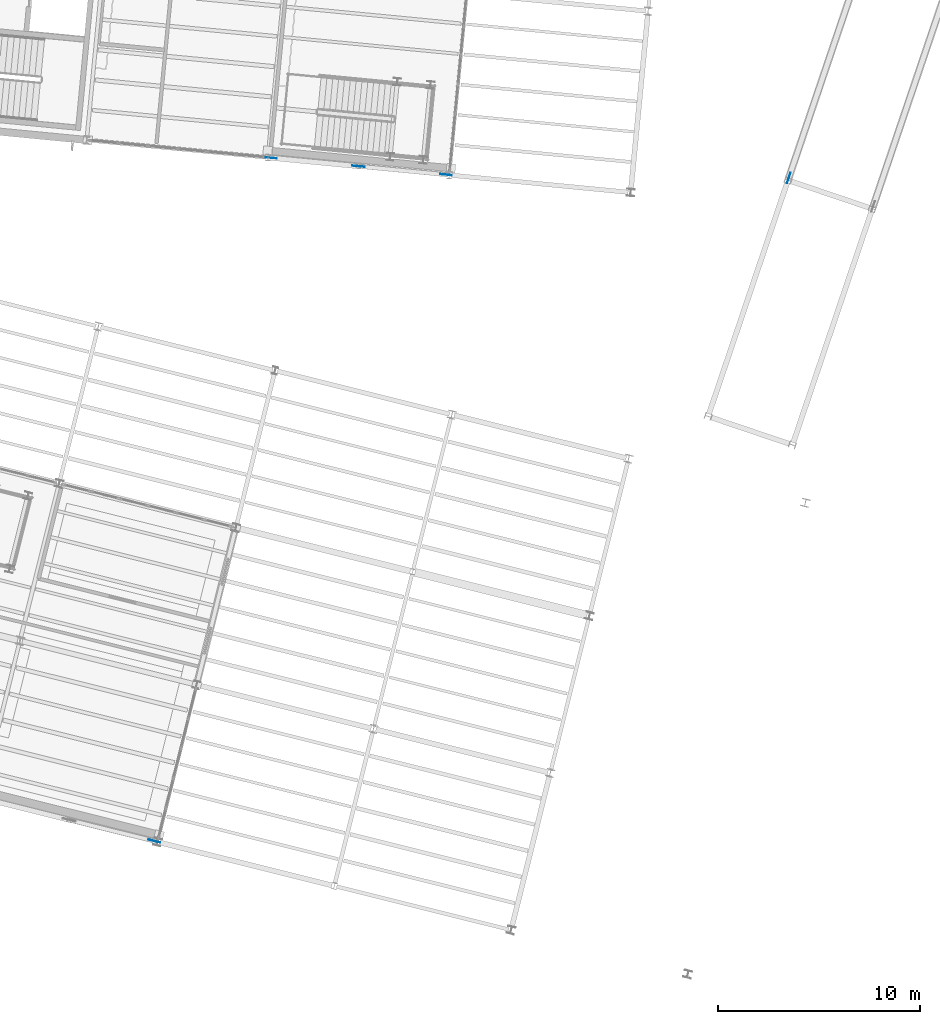
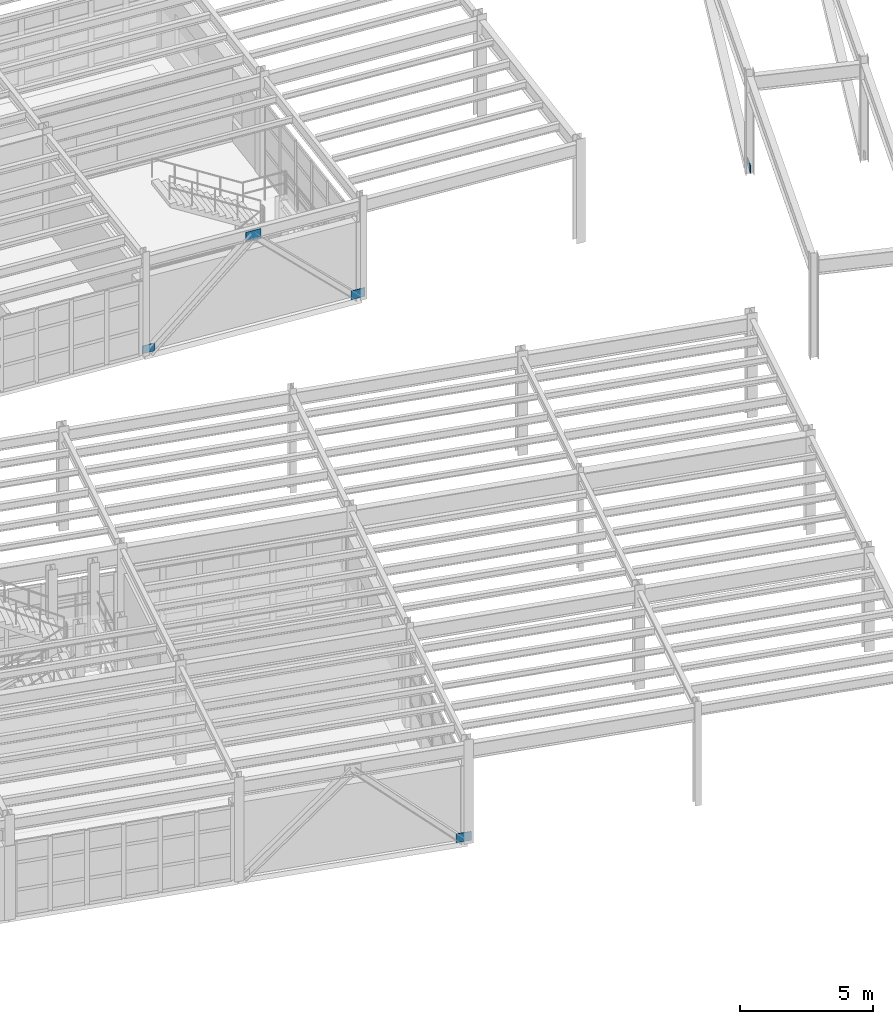
# One storey, part 81 of 109: 5 plates.
"""IFC4 building model written with IfcOpenShell, lengths in metres."""

from ifc_helpers import new_model, si_unit, direction, frame, origin, origin_2d, place, context, subcontext, project, spatial, rectangle, extrude, material, layer, layer_set, type_object, element, save


model = new_model("IFC4")

# Units and contexts
model_context = context("Model", 3, precision=1e-05, world=origin(), true_north=direction((0.0, 1.0)))
body_context = subcontext(model_context, "Body", "Model", "MODEL_VIEW")
ifc_project = project(units=[si_unit("LENGTHUNIT", "METRE"), si_unit("AREAUNIT", "SQUARE_METRE"), si_unit("VOLUMEUNIT", "CUBIC_METRE"), si_unit("PLANEANGLEUNIT", "RADIAN"), si_unit("MASSUNIT", "GRAM", prefix="KILO")], contexts=[model_context])

# Site, building, storey
site_placement = place(None, origin())
site = spatial("IfcSite", under=ifc_project, at=site_placement, CompositionType="ELEMENT")
building_placement = place(site_placement, origin())
building = spatial("IfcBuilding", under=site, at=building_placement, Name="Vireo Bluff Cable Station", CompositionType="ELEMENT")
storey_placement = place(building_placement, frame((0.0, 0.0, 4.800048828125)))
storey = spatial("IfcBuildingStorey", under=building, at=storey_placement, Name="L01", CompositionType="ELEMENT", Elevation=4.800048828125)

# Plates
ifc_material = material(Name="Steel ASTM A572 Gr. 50", Category="steel")
ifc_layer_1 = layer(ifc_material, 0.02197265625, Name="Steel ASTM A572 Gr. 50")
ifc_layer_set_1 = layer_set([ifc_layer_1], Name="Steel ASTM A572 Gr. 50")
plate_type_1 = type_object("IfcPlateType", Name="GUSSET-540X360X22", PredefinedType="USERDEFINED", material=ifc_layer_set_1)
for number, where, z_axis, x_axis, name in (
    (1, (85.814453125, 65.263427734375, 0.0400390625), (0.0, 0.0, 1.0), (0.995396198367, -0.09584575252, 0.0), "V3 L01 brace base gusset plate 143"),
    (2, (111.38330078125, 64.27197265625, 0.1201171875), (0.0, 0.0, 1.0), (0.32035190998, 0.947298608556, 0.0), "HAUL-DRIVE skybridge strut end plate 2RA"),
):
    element("IfcPlate", number, at=place(storey_placement, frame(where, z_axis=z_axis, x_axis=x_axis)), inside=storey, type_object=plate_type_1, Name=name, ObjectType="GUSSET PLATE", PredefinedType="USERDEFINED", context=body_context, shape_type="SweptSolid", body=[
        extrude(rectangle(XDim=0.5400390625, YDim=0.02197265625, at=origin_2d()), origin(), (0.0, 0.0, 1.0), 0.360107421875),
    ])
ifc_layer_2 = layer(ifc_material, 0.02392578125, Name="Steel ASTM A572 Gr. 50")
ifc_layer_set_2 = layer_set([ifc_layer_2], Name="Steel ASTM A572 Gr. 50")
plate_type_2 = type_object("IfcPlateType", Name="GUSSET-580X400X24", PredefinedType="USERDEFINED", material=ifc_layer_set_2)
plate_1_placement = place(storey_placement, frame((94.45458984375, 64.431396484375, 0.02001953125), z_axis=(0.0, 0.0, 1.0), x_axis=(0.995396198367, -0.09584575252, 0.0)))
element("IfcPlate", 3, at=plate_1_placement, inside=storey, type_object=plate_type_2, Name="V3 L01 brace base gusset plate 144", ObjectType="GUSSET PLATE", PredefinedType="USERDEFINED", context=body_context, shape_type="SweptSolid", body=[
    extrude(rectangle(XDim=0.580078125, YDim=0.02392578125, at=origin_2d()), origin(), (0.0, 0.0, 1.0), 0.39990234375),
])
ifc_layer_3 = layer(ifc_material, 0.02490234375, Name="Steel ASTM A572 Gr. 50")
ifc_layer_set_3 = layer_set([ifc_layer_3], Name="Steel ASTM A572 Gr. 50")
plate_type_3 = type_object("IfcPlateType", Name="GUSSET-600X410X25", PredefinedType="USERDEFINED", material=ifc_layer_set_3)
plate_2_placement = place(storey_placement, frame((80.042724609375, 31.5068359375, 0.01513671875), z_axis=(0.0, 0.0, 1.0), x_axis=(0.970295726276, -0.2419218956, 0.0)))
element("IfcPlate", 4, at=plate_2_placement, inside=storey, type_object=plate_type_3, Name="V1 L01 brace base gusset plate 34", ObjectType="GUSSET PLATE", PredefinedType="USERDEFINED", context=body_context, shape_type="SweptSolid", body=[
    extrude(rectangle(XDim=0.60009765625, YDim=0.02490234375, at=origin_2d()), origin(), (0.0, 0.0, 1.0), 0.409912109375),
])
ifc_layer_4 = layer(ifc_material, 0.02490234375, Name="Steel ASTM A572 Gr. 50")
ifc_layer_set_4 = layer_set([ifc_layer_4], Name="Steel ASTM A572 Gr. 50")
plate_type_4 = type_object("IfcPlateType", Name="GUSSET-620X420X25", PredefinedType="USERDEFINED", material=ifc_layer_set_4)
plate_3_placement = place(storey_placement, frame((90.134521484375, 64.847412109375, 3.969970703125), z_axis=(0.0, 0.0, 1.0), x_axis=(0.995396198367, -0.09584575252, 0.0)))
element("IfcPlate", 5, at=plate_3_placement, inside=storey, type_object=plate_type_4, Name="V3 L01 chevron gusset plate 145", ObjectType="GUSSET PLATE", PredefinedType="USERDEFINED", context=body_context, shape_type="SweptSolid", body=[
    extrude(rectangle(XDim=0.6201171875, YDim=0.02490234375, at=origin_2d()), origin(), (0.0, 0.0, 1.0), 0.419921875),
])

save(model, "model.ifc")
